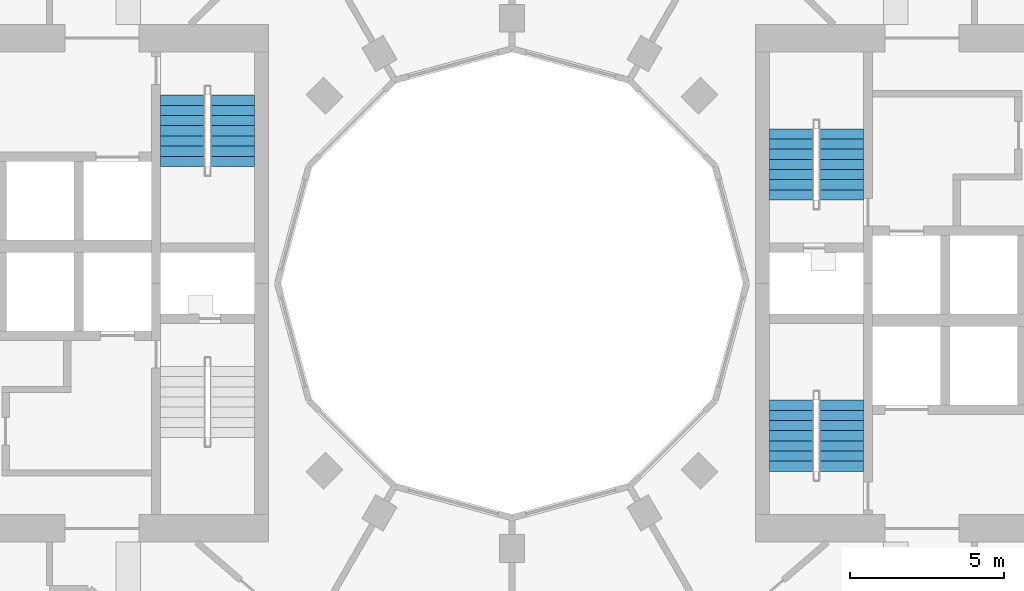
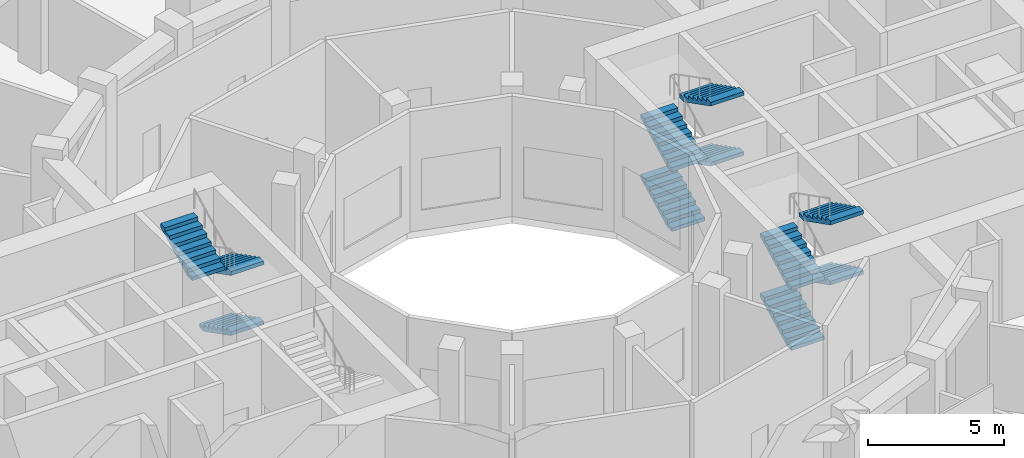
# One storey, part 24 of 26: 11 stair flights, 3 elements without a shape of their own.
"""IFC4 building model written with IfcOpenShell, lengths in metres."""

from ifc_helpers import new_model, si_unit, direction, frame, origin, place, context, subcontext, project, spatial, polyline, outline, extrude, material, layer, layer_set, type_object, element, aggregate, save


model = new_model("IFC4")

# Units and contexts
model_context = context("Model", 3, precision=1e-05, world=origin(), true_north=direction((0.0, 1.0)))
body_context = subcontext(model_context, "Body", "Model", "MODEL_VIEW")
ifc_project = project(units=[si_unit("LENGTHUNIT", "METRE"), si_unit("AREAUNIT", "SQUARE_METRE"), si_unit("VOLUMEUNIT", "CUBIC_METRE"), si_unit("PLANEANGLEUNIT", "RADIAN"), si_unit("MASSUNIT", "GRAM", prefix="KILO")], contexts=[model_context])

# Site, building, storey
site_placement = place(None, origin())
site = spatial("IfcSite", under=ifc_project, at=site_placement, CompositionType="ELEMENT")
building_placement = place(site_placement, origin())
building = spatial("IfcBuilding", under=site, at=building_placement, Name="Torre Brocal", CompositionType="ELEMENT")
storey_placement = place(building_placement, frame((0.0, 0.0, 12.39990234375)))
storey = spatial("IfcBuildingStorey", under=building, at=storey_placement, Name="L02", CompositionType="ELEMENT", Elevation=12.39990234375)

# Stair, stair flights
ifc_material_1 = material(Name="Concrete C50", Category="concrete")
stair_type = type_object("IfcStairType", Name="EXIT STAIR", PredefinedType="HALF_TURN_STAIR", material=ifc_material_1)
stair_1_placement = place(storey_placement, origin())
stair_1 = element("IfcStair", 1, at=stair_1_placement, inside=storey, type_object=stair_type, Name="EXIT STAIR ST1", PredefinedType="HALF_TURN_STAIR")
ifc_material_2 = material(Name="Concrete C50", Category="concrete")
ifc_layer = layer(ifc_material_2, 0.14990234375)
ifc_layer_set = layer_set([ifc_layer], Name="Concrete C50")
stair_flight_type = type_object("IfcStairFlightType", Name="STAIR FLIGHT", PredefinedType="STRAIGHT", material=ifc_layer_set)
stair_flight_1_placement = place(storey_placement, frame((89.050048828125, 77.699951171875, 0.0), z_axis=(0.0, 0.0, 1.0), x_axis=(0.0, 1.0, 0.0)))
stair_flight_1 = element("IfcStairFlight", 2, at=stair_flight_1_placement, type_object=stair_flight_type, Name="ST1 flight 1", NumberOfRisers=8, NumberOfTreads=7, PredefinedType="STRAIGHT", RiserHeight=0.16875, TreadLength=0.33, context=body_context, shape_type="SweptSolid", body=[
    extrude(outline(polyline([(0.0, 0.0), (0.0, 0.168701171875), (0.330078125, 0.168701171875), (0.330078125, 0.33740234375), (0.659912109375, 0.33740234375), (0.659912109375, 0.50634765625), (0.989990234375, 0.50634765625), (0.989990234375, 0.675048828125), (1.320068359375, 0.675048828125), (1.320068359375, 0.84375), (1.64990234375, 0.84375), (1.64990234375, 1.012451171875), (1.97998046875, 1.012451171875), (1.97998046875, 1.18115234375), (2.31005859375, 1.18115234375), (2.31005859375, 1.35009765625), (2.31005859375, 1.012939453125), (0.329345703125, 0.0), (0.0, 0.0)])), frame((0.0, 0.699951171875, 0.0), z_axis=(0.0, -1.0, 0.0), x_axis=(1.0, 0.0, 0.0)), (0.0, 0.0, 1.0), 1.39990234375),
])
stair_flight_2_placement = place(storey_placement, frame((90.699951171875, 80.010009765625, 1.35009765625), z_axis=(0.0, 0.0, 1.0), x_axis=(0.0, -1.0, 0.0)))
stair_flight_2 = element("IfcStairFlight", 3, at=stair_flight_2_placement, type_object=stair_flight_type, Name="ST1 flight 2", NumberOfRisers=8, NumberOfTreads=7, PredefinedType="STRAIGHT", RiserHeight=0.16875, TreadLength=0.33, context=body_context, shape_type="SweptSolid", body=[
    extrude(outline(polyline([(0.0, 0.0), (0.0, 0.168701171875), (0.330078125, 0.168701171875), (0.330078125, 0.33740234375), (0.659912109375, 0.33740234375), (0.659912109375, 0.50634765625), (0.989990234375, 0.50634765625), (0.989990234375, 0.675048828125), (1.320068359375, 0.675048828125), (1.320068359375, 0.84375), (1.64990234375, 0.84375), (1.64990234375, 1.012451171875), (1.97998046875, 1.012451171875), (1.97998046875, 1.18115234375), (2.31005859375, 1.18115234375), (2.31005859375, 1.35009765625), (2.31005859375, 1.012939453125), (0.329345703125, 0.0), (0.0, 0.0)])), frame((0.0, 0.699951171875, 0.0), z_axis=(0.0, -1.0, 0.0), x_axis=(1.0, 0.0, 0.0)), (0.0, 0.0, 1.0), 1.39990234375),
])
stair_flight_3_placement = place(storey_placement, frame((89.050048828125, 77.699951171875, 2.7001953125), z_axis=(0.0, 0.0, 1.0), x_axis=(0.0, 1.0, 0.0)))
stair_flight_3 = element("IfcStairFlight", 4, at=stair_flight_3_placement, type_object=stair_flight_type, Name="ST1 flight 3", NumberOfRisers=8, NumberOfTreads=7, PredefinedType="STRAIGHT", RiserHeight=0.16875, TreadLength=0.33, context=body_context, shape_type="SweptSolid", body=[
    extrude(outline(polyline([(0.0, 0.0), (0.0, 0.168701171875), (0.330078125, 0.168701171875), (0.330078125, 0.33740234375), (0.659912109375, 0.33740234375), (0.659912109375, 0.50634765625), (0.989990234375, 0.50634765625), (0.989990234375, 0.675048828125), (1.320068359375, 0.675048828125), (1.320068359375, 0.84375), (1.64990234375, 0.84375), (1.64990234375, 1.012451171875), (1.97998046875, 1.012451171875), (1.97998046875, 1.18115234375), (2.31005859375, 1.18115234375), (2.31005859375, 1.35009765625), (2.31005859375, 1.012939453125), (0.329345703125, 0.0), (0.0, 0.0)])), frame((0.0, 0.699951171875, 0.0), z_axis=(0.0, -1.0, 0.0), x_axis=(1.0, 0.0, 0.0)), (0.0, 0.0, 1.0), 1.39990234375),
])
stair_flight_4_placement = place(storey_placement, frame((90.699951171875, 80.010009765625, 4.050048828125), z_axis=(0.0, 0.0, 1.0), x_axis=(0.0, -1.0, 0.0)))
stair_flight_4 = element("IfcStairFlight", 5, at=stair_flight_4_placement, type_object=stair_flight_type, Name="ST1 flight 4", NumberOfRisers=8, NumberOfTreads=7, PredefinedType="STRAIGHT", RiserHeight=0.16875, TreadLength=0.33, context=body_context, shape_type="SweptSolid", body=[
    extrude(outline(polyline([(0.0, 0.0), (0.0, 0.168701171875), (0.330078125, 0.168701171875), (0.330078125, 0.33740234375), (0.659912109375, 0.33740234375), (0.659912109375, 0.50634765625), (0.989990234375, 0.50634765625), (0.989990234375, 0.675048828125), (1.320068359375, 0.675048828125), (1.320068359375, 0.84375), (1.64990234375, 0.84375), (1.64990234375, 1.012451171875), (1.97998046875, 1.012451171875), (1.97998046875, 1.18115234375), (2.31005859375, 1.18115234375), (2.31005859375, 1.35009765625), (2.31005859375, 1.012939453125), (0.329345703125, 0.0), (0.0, 0.0)])), frame((0.0, 0.699951171875, 0.0), z_axis=(0.0, -1.0, 0.0), x_axis=(1.0, 0.0, 0.0)), (0.0, 0.0, 1.0), 1.39990234375),
])
aggregate(stair_1, [stair_flight_1, stair_flight_2, stair_flight_3, stair_flight_4])

stair_2_placement = place(storey_placement, origin())
stair_2 = element("IfcStair", 6, at=stair_2_placement, inside=storey, type_object=stair_type, Name="EXIT STAIR ST2", PredefinedType="HALF_TURN_STAIR")
stair_flight_5_placement = place(storey_placement, frame((89.050048828125, 68.89990234375, 0.0), z_axis=(0.0, 0.0, 1.0), x_axis=(0.0, 1.0, 0.0)))
stair_flight_5 = element("IfcStairFlight", 7, at=stair_flight_5_placement, type_object=stair_flight_type, Name="ST2 flight 1", NumberOfRisers=8, NumberOfTreads=7, PredefinedType="STRAIGHT", RiserHeight=0.16875, TreadLength=0.33, context=body_context, shape_type="SweptSolid", body=[
    extrude(outline(polyline([(0.0, 0.0), (0.0, 0.168701171875), (0.330078125, 0.168701171875), (0.330078125, 0.33740234375), (0.659912109375, 0.33740234375), (0.659912109375, 0.50634765625), (0.989990234375, 0.50634765625), (0.989990234375, 0.675048828125), (1.320068359375, 0.675048828125), (1.320068359375, 0.84375), (1.64990234375, 0.84375), (1.64990234375, 1.012451171875), (1.97998046875, 1.012451171875), (1.97998046875, 1.18115234375), (2.31005859375, 1.18115234375), (2.31005859375, 1.35009765625), (2.31005859375, 1.012939453125), (0.329345703125, 0.0), (0.0, 0.0)])), frame((0.0, 0.699951171875, 0.0), z_axis=(0.0, -1.0, 0.0), x_axis=(1.0, 0.0, 0.0)), (0.0, 0.0, 1.0), 1.39990234375),
])
stair_flight_6_placement = place(storey_placement, frame((90.699951171875, 71.2099609375, 1.35009765625), z_axis=(0.0, 0.0, 1.0), x_axis=(0.0, -1.0, 0.0)))
stair_flight_6 = element("IfcStairFlight", 8, at=stair_flight_6_placement, type_object=stair_flight_type, Name="ST2 flight 2", NumberOfRisers=8, NumberOfTreads=7, PredefinedType="STRAIGHT", RiserHeight=0.16875, TreadLength=0.33, context=body_context, shape_type="SweptSolid", body=[
    extrude(outline(polyline([(0.0, 0.0), (0.0, 0.168701171875), (0.330078125, 0.168701171875), (0.330078125, 0.33740234375), (0.659912109375, 0.33740234375), (0.659912109375, 0.50634765625), (0.989990234375, 0.50634765625), (0.989990234375, 0.675048828125), (1.320068359375, 0.675048828125), (1.320068359375, 0.84375), (1.64990234375, 0.84375), (1.64990234375, 1.012451171875), (1.97998046875, 1.012451171875), (1.97998046875, 1.18115234375), (2.31005859375, 1.18115234375), (2.31005859375, 1.35009765625), (2.31005859375, 1.012939453125), (0.329345703125, 0.0), (0.0, 0.0)])), frame((0.0, 0.699951171875, 0.0), z_axis=(0.0, -1.0, 0.0), x_axis=(1.0, 0.0, 0.0)), (0.0, 0.0, 1.0), 1.39990234375),
])
stair_flight_7_placement = place(storey_placement, frame((89.050048828125, 68.89990234375, 2.7001953125), z_axis=(0.0, 0.0, 1.0), x_axis=(0.0, 1.0, 0.0)))
stair_flight_7 = element("IfcStairFlight", 9, at=stair_flight_7_placement, type_object=stair_flight_type, Name="ST2 flight 3", NumberOfRisers=8, NumberOfTreads=7, PredefinedType="STRAIGHT", RiserHeight=0.16875, TreadLength=0.33, context=body_context, shape_type="SweptSolid", body=[
    extrude(outline(polyline([(0.0, 0.0), (0.0, 0.168701171875), (0.330078125, 0.168701171875), (0.330078125, 0.33740234375), (0.659912109375, 0.33740234375), (0.659912109375, 0.50634765625), (0.989990234375, 0.50634765625), (0.989990234375, 0.675048828125), (1.320068359375, 0.675048828125), (1.320068359375, 0.84375), (1.64990234375, 0.84375), (1.64990234375, 1.012451171875), (1.97998046875, 1.012451171875), (1.97998046875, 1.18115234375), (2.31005859375, 1.18115234375), (2.31005859375, 1.35009765625), (2.31005859375, 1.012939453125), (0.329345703125, 0.0), (0.0, 0.0)])), frame((0.0, 0.699951171875, 0.0), z_axis=(0.0, -1.0, 0.0), x_axis=(1.0, 0.0, 0.0)), (0.0, 0.0, 1.0), 1.39990234375),
])
stair_flight_8_placement = place(storey_placement, frame((90.699951171875, 71.2099609375, 4.050048828125), z_axis=(0.0, 0.0, 1.0), x_axis=(0.0, -1.0, 0.0)))
stair_flight_8 = element("IfcStairFlight", 10, at=stair_flight_8_placement, type_object=stair_flight_type, Name="ST2 flight 4", NumberOfRisers=8, NumberOfTreads=7, PredefinedType="STRAIGHT", RiserHeight=0.16875, TreadLength=0.33, context=body_context, shape_type="SweptSolid", body=[
    extrude(outline(polyline([(0.0, 0.0), (0.0, 0.168701171875), (0.330078125, 0.168701171875), (0.330078125, 0.33740234375), (0.659912109375, 0.33740234375), (0.659912109375, 0.50634765625), (0.989990234375, 0.50634765625), (0.989990234375, 0.675048828125), (1.320068359375, 0.675048828125), (1.320068359375, 0.84375), (1.64990234375, 0.84375), (1.64990234375, 1.012451171875), (1.97998046875, 1.012451171875), (1.97998046875, 1.18115234375), (2.31005859375, 1.18115234375), (2.31005859375, 1.35009765625), (2.31005859375, 1.012939453125), (0.329345703125, 0.0), (0.0, 0.0)])), frame((0.0, 0.699951171875, 0.0), z_axis=(0.0, -1.0, 0.0), x_axis=(1.0, 0.0, 0.0)), (0.0, 0.0, 1.0), 1.39990234375),
])
aggregate(stair_2, [stair_flight_5, stair_flight_6, stair_flight_7, stair_flight_8])

stair_3_placement = place(storey_placement, origin())
stair_3 = element("IfcStair", 11, at=stair_3_placement, inside=storey, type_object=stair_type, Name="EXIT STAIR ST4", PredefinedType="HALF_TURN_STAIR")
stair_flight_9_placement = place(storey_placement, frame((70.949951171875, 81.10009765625, 0.0), z_axis=(0.0, 0.0, 1.0), x_axis=(0.0, -1.0, 0.0)))
stair_flight_9 = element("IfcStairFlight", 12, at=stair_flight_9_placement, type_object=stair_flight_type, Name="ST4 flight 1", NumberOfRisers=8, NumberOfTreads=7, PredefinedType="STRAIGHT", RiserHeight=0.16875, TreadLength=0.33, context=body_context, shape_type="SweptSolid", body=[
    extrude(outline(polyline([(0.0, 0.0), (0.0, 0.168701171875), (0.330078125, 0.168701171875), (0.330078125, 0.33740234375), (0.659912109375, 0.33740234375), (0.659912109375, 0.50634765625), (0.989990234375, 0.50634765625), (0.989990234375, 0.675048828125), (1.320068359375, 0.675048828125), (1.320068359375, 0.84375), (1.64990234375, 0.84375), (1.64990234375, 1.012451171875), (1.97998046875, 1.012451171875), (1.97998046875, 1.18115234375), (2.31005859375, 1.18115234375), (2.31005859375, 1.35009765625), (2.31005859375, 1.012939453125), (0.329345703125, 0.0), (0.0, 0.0)])), frame((0.0, 0.699951171875, 0.0), z_axis=(0.0, -1.0, 0.0), x_axis=(1.0, 0.0, 0.0)), (0.0, 0.0, 1.0), 1.39990234375),
])
stair_flight_10_placement = place(storey_placement, frame((70.949951171875, 81.10009765625, 2.7001953125), z_axis=(0.0, 0.0, 1.0), x_axis=(0.0, -1.0, 0.0)))
stair_flight_10 = element("IfcStairFlight", 13, at=stair_flight_10_placement, type_object=stair_flight_type, Name="ST4 flight 3", NumberOfRisers=8, NumberOfTreads=7, PredefinedType="STRAIGHT", RiserHeight=0.16875, TreadLength=0.33, context=body_context, shape_type="SweptSolid", body=[
    extrude(outline(polyline([(0.0, 0.0), (0.0, 0.168701171875), (0.330078125, 0.168701171875), (0.330078125, 0.33740234375), (0.659912109375, 0.33740234375), (0.659912109375, 0.50634765625), (0.989990234375, 0.50634765625), (0.989990234375, 0.675048828125), (1.320068359375, 0.675048828125), (1.320068359375, 0.84375), (1.64990234375, 0.84375), (1.64990234375, 1.012451171875), (1.97998046875, 1.012451171875), (1.97998046875, 1.18115234375), (2.31005859375, 1.18115234375), (2.31005859375, 1.35009765625), (2.31005859375, 1.012939453125), (0.329345703125, 0.0), (0.0, 0.0)])), frame((0.0, 0.699951171875, 0.0), z_axis=(0.0, -1.0, 0.0), x_axis=(1.0, 0.0, 0.0)), (0.0, 0.0, 1.0), 1.39990234375),
])
stair_flight_11_placement = place(storey_placement, frame((69.300048828125, 78.7900390625, 4.050048828125), z_axis=(0.0, 0.0, 1.0), x_axis=(0.0, 1.0, 0.0)))
stair_flight_11 = element("IfcStairFlight", 14, at=stair_flight_11_placement, type_object=stair_flight_type, Name="ST4 flight 4", NumberOfRisers=8, NumberOfTreads=7, PredefinedType="STRAIGHT", RiserHeight=0.16875, TreadLength=0.33, context=body_context, shape_type="SweptSolid", body=[
    extrude(outline(polyline([(0.0, 0.0), (0.0, 0.168701171875), (0.330078125, 0.168701171875), (0.330078125, 0.33740234375), (0.659912109375, 0.33740234375), (0.659912109375, 0.50634765625), (0.989990234375, 0.50634765625), (0.989990234375, 0.675048828125), (1.320068359375, 0.675048828125), (1.320068359375, 0.84375), (1.64990234375, 0.84375), (1.64990234375, 1.012451171875), (1.97998046875, 1.012451171875), (1.97998046875, 1.18115234375), (2.31005859375, 1.18115234375), (2.31005859375, 1.35009765625), (2.31005859375, 1.012939453125), (0.329345703125, 0.0), (0.0, 0.0)])), frame((0.0, 0.699951171875, 0.0), z_axis=(0.0, -1.0, 0.0), x_axis=(1.0, 0.0, 0.0)), (0.0, 0.0, 1.0), 1.39990234375),
])
aggregate(stair_3, [stair_flight_9, stair_flight_10, stair_flight_11])

save(model, "model.ifc")
